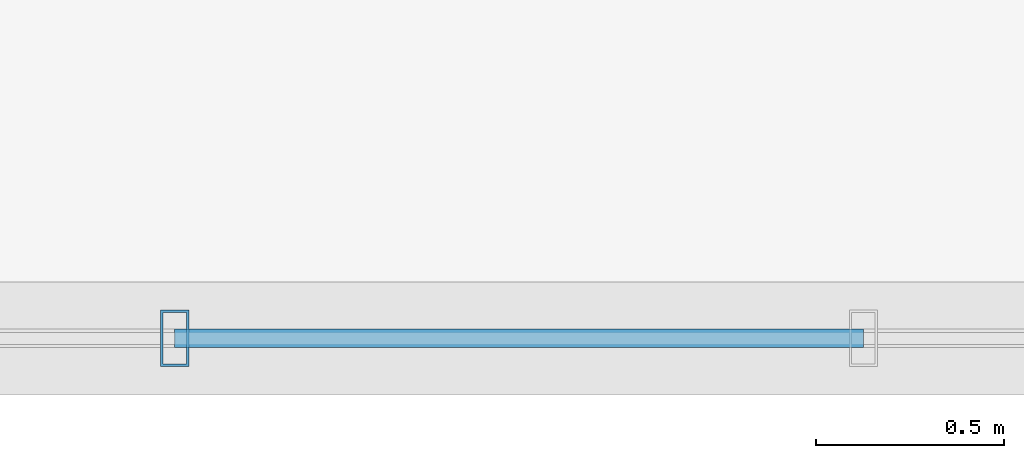
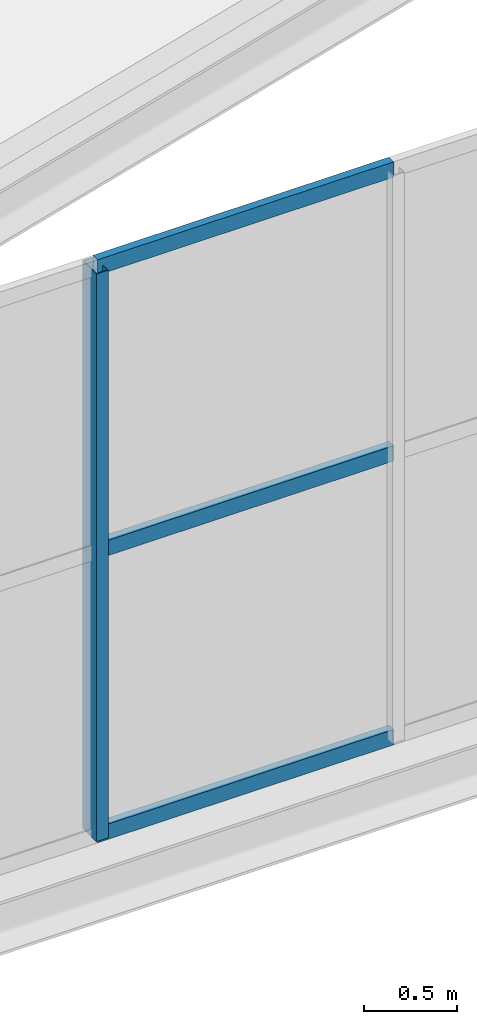
# One storey, part 7 of 49: 4 members, 1 element without a shape of its own.
"""IFC4 building model written with IfcOpenShell, lengths in metres."""

from ifc_helpers import new_model, si_unit, direction, frame, origin, origin_2d, place, context, subcontext, project, spatial, hollow_rectangle, extrude, material, material_profile, profile_set, type_object, element, aggregate, save


model = new_model("IFC4")

# Units and contexts
model_context = context("Model", 3, precision=1e-05, world=origin(), true_north=direction((0.0, 1.0)))
body_context = subcontext(model_context, "Body", "Model", "MODEL_VIEW")
ifc_project = project(units=[si_unit("LENGTHUNIT", "METRE"), si_unit("AREAUNIT", "SQUARE_METRE"), si_unit("VOLUMEUNIT", "CUBIC_METRE"), si_unit("PLANEANGLEUNIT", "RADIAN"), si_unit("MASSUNIT", "GRAM", prefix="KILO")], contexts=[model_context])

# Site, building, storey
site_placement = place(None, origin())
site = spatial("IfcSite", under=ifc_project, at=site_placement, CompositionType="ELEMENT")
building_placement = place(site_placement, origin())
building = spatial("IfcBuilding", under=site, at=building_placement, Name="Sundkrona Museum", CompositionType="ELEMENT")
storey_placement = place(building_placement, frame((0.0, 0.0, 26.0)))
storey = spatial("IfcBuildingStorey", under=building, at=storey_placement, Name="L05", CompositionType="ELEMENT", Elevation=26.0)

# Curtain wall, members
ifc_material_1 = material(Name="Unitised Aluminium-Steel and Ceramic-Clad Curtain Walling", Category="steel")
curtain_wall_type = type_object("IfcCurtainWallType", Name="CW-SW-240x13", PredefinedType="NOTDEFINED", material=ifc_material_1)
curtain_wall_placement = place(storey_placement, origin())
curtain_wall = element("IfcCurtainWall", 1, at=curtain_wall_placement, inside=storey, type_object=curtain_wall_type, Name="Atrium S Glazed Gable Tympanum 3", PredefinedType="NOTDEFINED")
ifc_material_2 = material(Name="Aluminium EN AW-6060 T66", Category="aluminium")
ifc_material_profile_1 = material_profile(ifc_material_2, hollow_rectangle(XDim=0.074951171875, YDim=0.14990234375, WallThickness=0.00634765625, at=origin_2d()), Name="RHS 150x75x6.3")
ifc_profile_set_1 = profile_set([ifc_material_profile_1], Name="Aluminium EN AW-6060 T66")
member_type_1 = type_object("IfcMemberType", Name="ML-150", PredefinedType="MULLION", material=ifc_profile_set_1)
member_1_placement = place(storey_placement, frame((97.257080078125, 0.0, -0.10009765625), z_axis=(0.0, 0.0, 1.0), x_axis=(1.0, 0.0, 0.0)))
member_1 = element("IfcMember", 2, at=member_1_placement, type_object=member_type_1, Name="CW-ATR-GBL-S3 Mullion 03", PredefinedType="MULLION", context=body_context, shape_type="SweptSolid", body=[
    extrude(hollow_rectangle(XDim=0.074951171875, YDim=0.14990234375, WallThickness=0.00634765625, at=origin_2d()), origin(), (0.0, 0.0, 1.0), 3.70703125),
])
ifc_material_profile_2 = material_profile(ifc_material_2, hollow_rectangle(XDim=0.050048828125, YDim=0.10009765625, WallThickness=0.0048828125, at=origin_2d()), Name="RHS 100x50x5.0")
ifc_profile_set_2 = profile_set([ifc_material_profile_2], Name="Aluminium EN AW-6060 T66")
member_type_2 = type_object("IfcMemberType", Name="TR-100", PredefinedType="USERDEFINED", material=ifc_profile_set_2)
member_2_placement = place(storey_placement, frame((97.257080078125, 0.0, -0.10009765625), z_axis=(1.0, 0.0, 0.0), x_axis=(0.0, 1.0, 0.0)))
member_2 = element("IfcMember", 3, at=member_2_placement, type_object=member_type_2, Name="CW-ATR-GBL-S3 Transom 07", ObjectType="TRANSOM", PredefinedType="USERDEFINED", context=body_context, shape_type="SweptSolid", body=[
    extrude(hollow_rectangle(XDim=0.050048828125, YDim=0.10009765625, WallThickness=0.0048828125, at=origin_2d()), origin(), (0.0, 0.0, 1.0), 1.82861328125),
])
member_3_placement = place(storey_placement, frame((97.257080078125, 0.0, 1.7529296875), z_axis=(1.0, 0.0, 0.0), x_axis=(0.0, 1.0, 0.0)))
member_3 = element("IfcMember", 4, at=member_3_placement, type_object=member_type_2, Name="CW-ATR-GBL-S3 Transom 08", ObjectType="TRANSOM", PredefinedType="USERDEFINED", context=body_context, shape_type="SweptSolid", body=[
    extrude(hollow_rectangle(XDim=0.050048828125, YDim=0.10009765625, WallThickness=0.0048828125, at=origin_2d()), origin(), (0.0, 0.0, 1.0), 1.82861328125),
])
member_4_placement = place(storey_placement, frame((97.257080078125, 0.0, 3.60693359375), z_axis=(1.0, 0.0, 0.0), x_axis=(0.0, 1.0, 0.0)))
member_4 = element("IfcMember", 5, at=member_4_placement, type_object=member_type_2, Name="CW-ATR-GBL-S3 Transom 09", ObjectType="TRANSOM", PredefinedType="USERDEFINED", context=body_context, shape_type="SweptSolid", body=[
    extrude(hollow_rectangle(XDim=0.050048828125, YDim=0.10009765625, WallThickness=0.0048828125, at=origin_2d()), origin(), (0.0, 0.0, 1.0), 1.82861328125),
])
aggregate(curtain_wall, [member_1, member_2, member_3, member_4])

save(model, "model.ifc")
